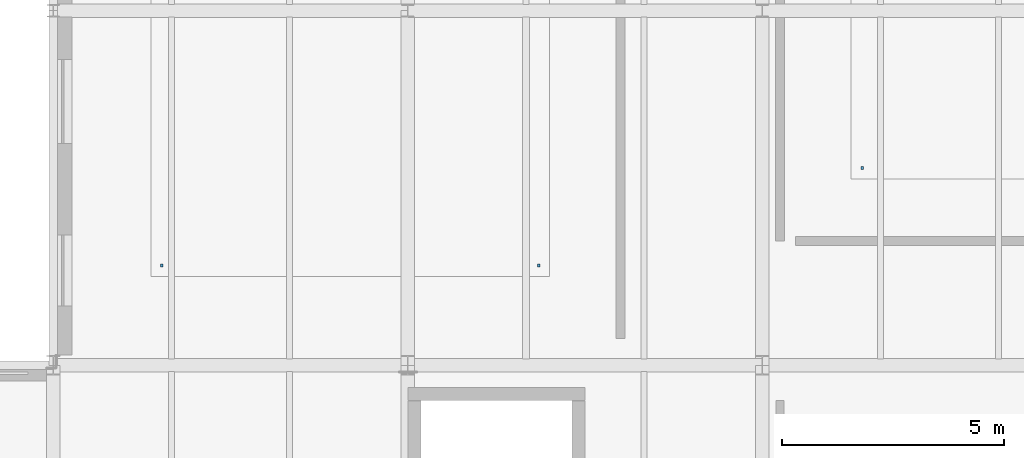
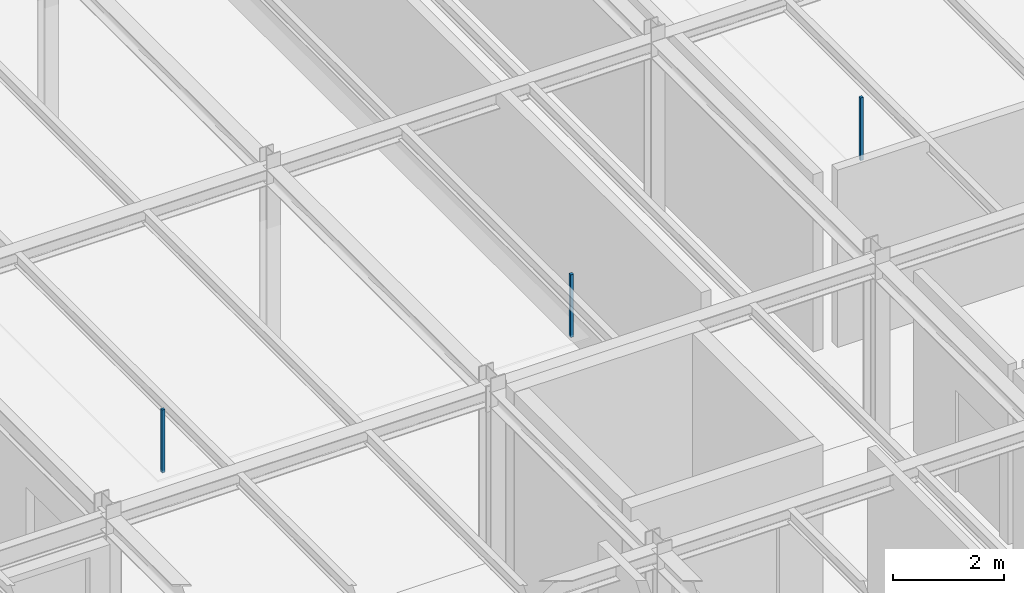
# One storey, part 103 of 124: 3 discrete accessories.
"""IFC4 building model written with IfcOpenShell, lengths in metres."""

from ifc_helpers import new_model, si_unit, direction, frame, origin, origin_2d, place, context, subcontext, project, spatial, rectangle, extrude, material, type_object, element, save


model = new_model("IFC4")

# Units and contexts
model_context = context("Model", 3, precision=1e-05, world=origin(), true_north=direction((0.0, 1.0)))
body_context = subcontext(model_context, "Body", "Model", "MODEL_VIEW")
ifc_project = project(units=[si_unit("LENGTHUNIT", "METRE"), si_unit("AREAUNIT", "SQUARE_METRE"), si_unit("VOLUMEUNIT", "CUBIC_METRE"), si_unit("PLANEANGLEUNIT", "RADIAN"), si_unit("MASSUNIT", "GRAM", prefix="KILO")], contexts=[model_context])

# Site, building, storey
site_placement = place(None, origin())
site = spatial("IfcSite", under=ifc_project, at=site_placement, CompositionType="ELEMENT")
building_placement = place(site_placement, origin())
building = spatial("IfcBuilding", under=site, at=building_placement, Name="Sundkrona Museum", CompositionType="ELEMENT")
storey_placement = place(building_placement, frame((0.0, 0.0, 17.60009765625)))
storey = spatial("IfcBuildingStorey", under=building, at=storey_placement, Name="L03", CompositionType="ELEMENT", Elevation=17.60009765625)

# Discrete accessories
ifc_material = material(Name="Stainless Steel EN 1.4404 Cleat", Category="steel")
discrete_accessory_type = type_object("IfcDiscreteAccessoryType", Name="BRK-FIN-01", PredefinedType="BRACKET", material=ifc_material)
for number, where, z_axis, x_axis, name in (
    (1, (138.449951171875, 48.25, 2.550048828125), (0.0, 0.0, 1.0), (1.0, 0.0, 0.0), "L03 Paper and Parchment Restoration Studio Ceiling Hanger 1"),
    (2, (146.949951171875, 48.25, 2.550048828125), (0.0, 0.0, 1.0), (1.0, 0.0, 0.0), "L03 Paper and Parchment Restoration Studio Ceiling Hanger 2"),
    (3, (154.25, 50.449951171875, 2.550048828125), (0.0, 0.0, 1.0), (1.0, 0.0, 0.0), "L03 Imaging and Photogrammetry Studio Ceiling Hanger 1"),
):
    element("IfcDiscreteAccessory", number, at=place(storey_placement, frame(where, z_axis=z_axis, x_axis=x_axis)), inside=storey, type_object=discrete_accessory_type, Name=name, PredefinedType="BRACKET", context=body_context, shape_type="SweptSolid", body=[
        extrude(rectangle(XDim=0.06005859375, YDim=0.06005859375, at=origin_2d()), origin(), (0.0, 0.0, 1.0), 1.3798828125),
    ])

save(model, "model.ifc")
